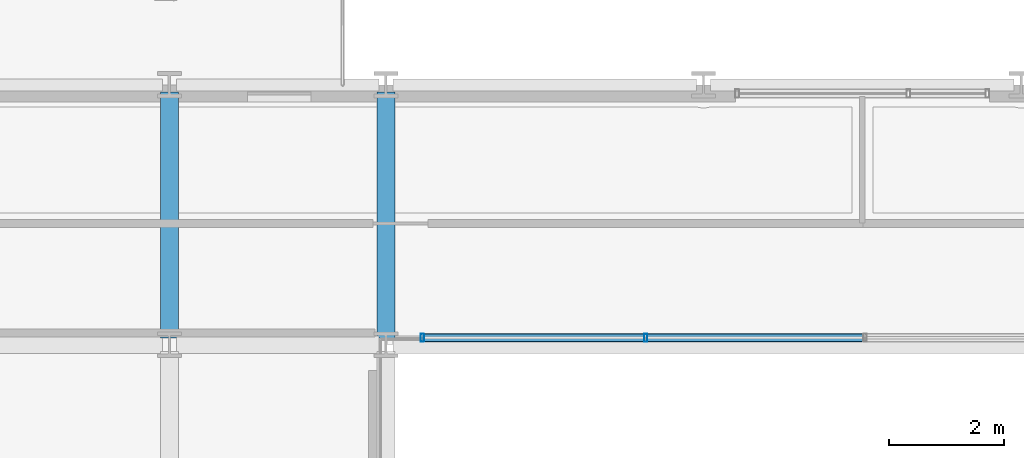
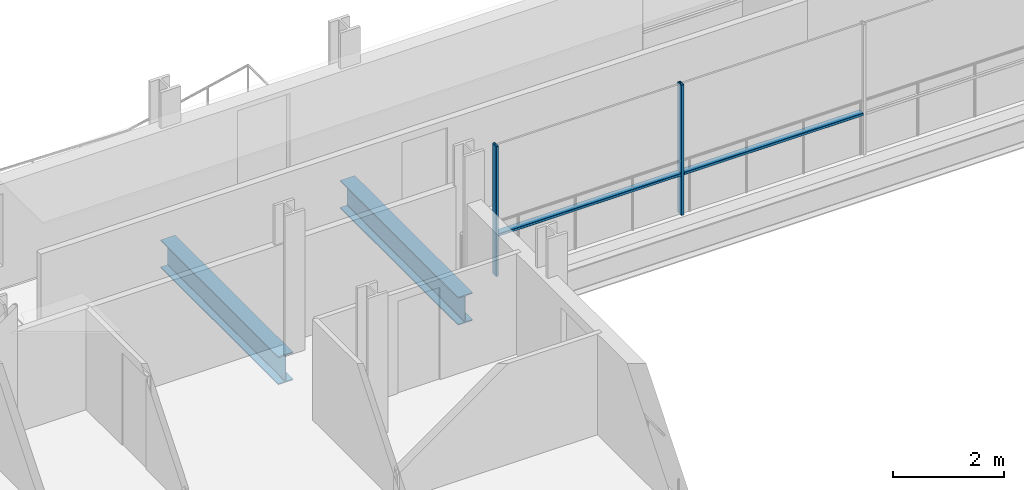
# One storey, part 9 of 41: 4 members, 2 beams, 1 element without a shape of its own.
"""IFC4 building model written with IfcOpenShell, lengths in metres."""

from ifc_helpers import new_model, si_unit, direction, frame, origin, origin_2d, place, context, subcontext, project, spatial, hollow_rectangle, i_section, extrude, material, layer, layer_set, material_profile, profile_set, type_object, element, aggregate, save


model = new_model("IFC4")

# Units and contexts
model_context = context("Model", 3, precision=1e-05, world=origin(), true_north=direction((0.0, 1.0)))
body_context = subcontext(model_context, "Body", "Model", "MODEL_VIEW")
ifc_project = project(units=[si_unit("LENGTHUNIT", "METRE"), si_unit("AREAUNIT", "SQUARE_METRE"), si_unit("VOLUMEUNIT", "CUBIC_METRE"), si_unit("PLANEANGLEUNIT", "RADIAN"), si_unit("MASSUNIT", "GRAM", prefix="KILO")], contexts=[model_context])

# Site, building, storey
site_placement = place(None, origin())
site = spatial("IfcSite", under=ifc_project, at=site_placement, CompositionType="ELEMENT")
building_placement = place(site_placement, origin())
building = spatial("IfcBuilding", under=site, at=building_placement, Name="Brevholm Reach", CompositionType="ELEMENT")
storey_placement = place(building_placement, frame((0.0, 0.0, 68.300048828125)))
storey = spatial("IfcBuildingStorey", under=building, at=storey_placement, Name="L19", CompositionType="ELEMENT", Elevation=68.300048828125)

# Beams
ifc_material_1 = material(Name="Structural Steel S355J2", Category="steel")
ifc_material_profile_1 = material_profile(ifc_material_1, i_section(OverallWidth=0.30712890625, OverallDepth=0.6201171875, WebThickness=0.01416015625, FlangeThickness=0.023681640625, FilletRadius=0.0166015625, at=origin_2d()), Name="UKB 610x305x179")
ifc_profile_set_1 = profile_set([ifc_material_profile_1], Name="Structural Steel S355J2")
beam_type = type_object("IfcBeamType", Name="BM-UKB610H", PredefinedType="USERDEFINED", material=ifc_profile_set_1)
for number, where, z_axis, x_axis, name in (
    (1, (18.0, 26.6201171875, -0.5400390625), (0.0, 1.0, 0.0), (-1.0, 0.0, 0.0), "L19 G-06 Framing Beam"),
    (2, (21.75, 26.6201171875, -0.5400390625), (0.0, 1.0, 0.0), (-1.0, 0.0, 0.0), "L19 G-06 Framing Beam"),
):
    element("IfcBeam", number, at=place(storey_placement, frame(where, z_axis=z_axis, x_axis=x_axis)), inside=storey, type_object=beam_type, Name=name, ObjectType="GIRDER", PredefinedType="USERDEFINED", context=body_context, shape_type="SweptSolid", body=[
        extrude(i_section(OverallWidth=0.30712890625, OverallDepth=0.6201171875, WebThickness=0.01416015625, FlangeThickness=0.023681640625, FilletRadius=0.0166015625, at=origin_2d()), origin(), (0.0, 0.0, 1.0), 4.259765625),
    ])

# Curtain wall, members
ifc_material_2 = material(Name="Dark Anodised Aluminium 6063-T6 and Solar-Control Glass", Category="aluminium")
ifc_layer = layer(ifc_material_2, 0.139892578125)
ifc_layer_set = layer_set([ifc_layer], Name="Dark Anodised Aluminium 6063-T6 and Solar-Control Glass")
curtain_wall_type = type_object("IfcCurtainWallType", Name="CW-02", PredefinedType="NOTDEFINED", material=ifc_layer_set)
curtain_wall_placement = place(storey_placement, origin())
curtain_wall = element("IfcCurtainWall", 3, at=curtain_wall_placement, inside=storey, type_object=curtain_wall_type, Name="L19 Curtain Wall CW-02", PredefinedType="NOTDEFINED")
ifc_material_3 = material(Name="Dark Anodised Aluminium 6063-T6", Category="aluminium")
ifc_material_profile_2 = material_profile(ifc_material_3, hollow_rectangle(XDim=0.06005859375, YDim=0.139892578125, WallThickness=0.0048828125, InnerFilletRadius=0.0048828125, OuterFilletRadius=0.010009765625, at=origin_2d()), Name="RHS 140x60x5")
ifc_profile_set_2 = profile_set([ifc_material_profile_2], Name="Dark Anodised Aluminium 6063-T6")
member_type_1 = type_object("IfcMemberType", Name="CWM-140", PredefinedType="MULLION", material=ifc_profile_set_2)
member_1_placement = place(storey_placement, frame((26.25, 26.6201171875, 0.0), z_axis=(0.0, 0.0, 1.0), x_axis=(-1.0, 0.0, 0.0)))
member_1 = element("IfcMember", 4, at=member_1_placement, type_object=member_type_1, Name="CM-140 Mullion 4", PredefinedType="MULLION", context=body_context, shape_type="SweptSolid", body=[
    extrude(hollow_rectangle(XDim=0.06005859375, YDim=0.139892578125, WallThickness=0.0048828125, InnerFilletRadius=0.0048828125, OuterFilletRadius=0.010009765625, at=origin_2d()), origin(), (0.0, 0.0, 1.0), 2.869873046875),
])
member_2_placement = place(storey_placement, frame((22.3798828125, 26.6201171875, 0.0), z_axis=(0.0, 0.0, 1.0), x_axis=(-1.0, 0.0, 0.0)))
member_2 = element("IfcMember", 5, at=member_2_placement, type_object=member_type_1, Name="CM-140 Mullion 5", PredefinedType="MULLION", context=body_context, shape_type="SweptSolid", body=[
    extrude(hollow_rectangle(XDim=0.06005859375, YDim=0.139892578125, WallThickness=0.0048828125, InnerFilletRadius=0.0048828125, OuterFilletRadius=0.010009765625, at=origin_2d()), origin(), (0.0, 0.0, 1.0), 2.869873046875),
])
ifc_material_4 = material(Name="Dark Anodised Aluminium 6063-T6", Category="aluminium")
ifc_material_profile_3 = material_profile(ifc_material_4, hollow_rectangle(XDim=0.06005859375, YDim=0.139892578125, WallThickness=0.0048828125, InnerFilletRadius=0.0048828125, OuterFilletRadius=0.010009765625, at=origin_2d()), Name="RHS 140x60x5")
ifc_profile_set_3 = profile_set([ifc_material_profile_3], Name="Dark Anodised Aluminium 6063-T6")
member_type_2 = type_object("IfcMemberType", Name="CWT-140", PredefinedType="NOTDEFINED", material=ifc_profile_set_3)
member_3_placement = place(storey_placement, frame((30.02001953125, 26.6201171875, 0.89990234375), z_axis=(-1.0, 0.0, 0.0), x_axis=(0.0, 0.0, 1.0)))
member_3 = element("IfcMember", 6, at=member_3_placement, type_object=member_type_2, Name="CT-140 Transom 3.1", ObjectType="TRANSOM", PredefinedType="USERDEFINED", context=body_context, shape_type="SweptSolid", body=[
    extrude(hollow_rectangle(XDim=0.06005859375, YDim=0.139892578125, WallThickness=0.0048828125, InnerFilletRadius=0.0048828125, OuterFilletRadius=0.010009765625, at=origin_2d()), origin(), (0.0, 0.0, 1.0), 3.739990234375),
])
member_4_placement = place(storey_placement, frame((26.219970703125, 26.6201171875, 0.89990234375), z_axis=(-1.0, 0.0, 0.0), x_axis=(0.0, 0.0, 1.0)))
member_4 = element("IfcMember", 7, at=member_4_placement, type_object=member_type_2, Name="CT-140 Transom 4.1", ObjectType="TRANSOM", PredefinedType="USERDEFINED", context=body_context, shape_type="SweptSolid", body=[
    extrude(hollow_rectangle(XDim=0.06005859375, YDim=0.139892578125, WallThickness=0.0048828125, InnerFilletRadius=0.0048828125, OuterFilletRadius=0.010009765625, at=origin_2d()), origin(), (0.0, 0.0, 1.0), 3.81005859375),
])
aggregate(curtain_wall, [member_1, member_2, member_3, member_4])

save(model, "model.ifc")
